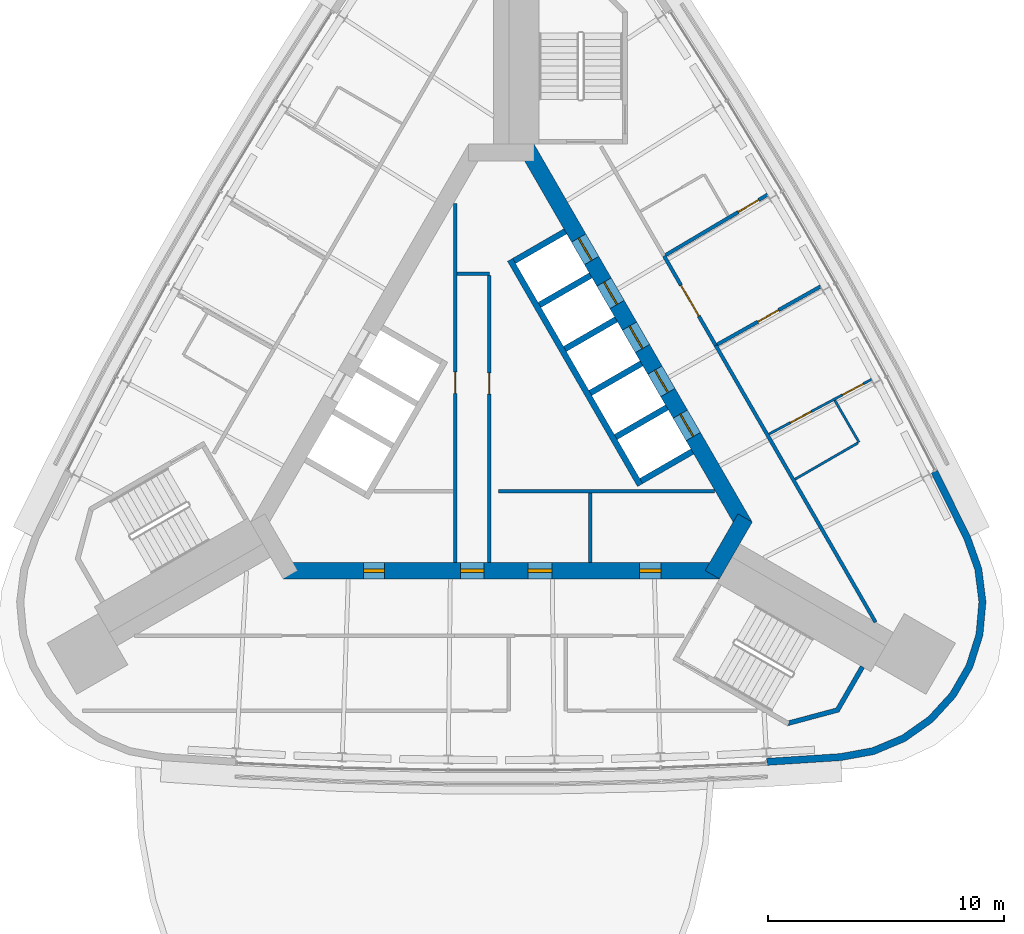
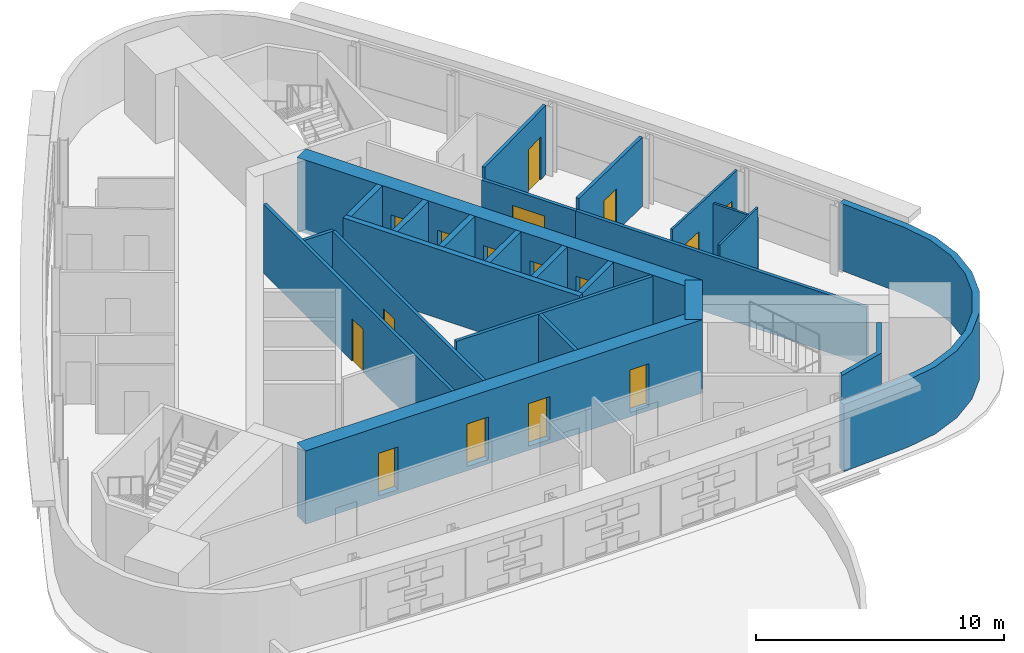
# One storey, part 7 of 9: 24 walls, 16 doors, 16 openings.
"""IFC4 building model written with IfcOpenShell, lengths in metres."""

from ifc_helpers import new_model, si_unit, direction, frame, frame_2d, origin, place, context, subcontext, project, spatial, polyline, rectangle, outline, extrude, material, layer, layer_set, type_object, element, fill, save


model = new_model("IFC4")

# Units and contexts
model_context = context("Model", 3, precision=1e-05, world=origin(), true_north=direction((0.0, 1.0)))
body_context = subcontext(model_context, "Body", "Model", "MODEL_VIEW")
ifc_project = project(units=[si_unit("LENGTHUNIT", "METRE"), si_unit("AREAUNIT", "SQUARE_METRE"), si_unit("VOLUMEUNIT", "CUBIC_METRE"), si_unit("PLANEANGLEUNIT", "RADIAN"), si_unit("MASSUNIT", "GRAM", prefix="KILO")], contexts=[model_context])

# Site, building, storey
site_placement = place(None, origin())
site = spatial("IfcSite", under=ifc_project, at=site_placement, CompositionType="ELEMENT")
building_placement = place(site_placement, origin())
building = spatial("IfcBuilding", under=site, at=building_placement, Name="Noor Cloister Tower", CompositionType="ELEMENT")
storey_placement = place(building_placement, frame((0.0, 0.0, 229.199951171875)))
storey = spatial("IfcBuildingStorey", under=building, at=storey_placement, Name="L59", CompositionType="ELEMENT", Elevation=229.199951171875)

# Wall, opening, door
ifc_material_1 = material(Name="Concrete C30/37", Category="concrete")
ifc_layer_1 = layer(ifc_material_1, 0.14990234375)
ifc_layer_set_1 = layer_set([ifc_layer_1], Name="Core partition 150 C30/37")
wall_type_1 = type_object("IfcWallType", Name="Core partition 150 C30/37", PredefinedType="PARTITIONING", material=ifc_layer_set_1)
wall_1_placement = place(storey_placement, frame((-1.95361328125, 8.9423828125, 0.0), z_axis=(0.0, 0.0, 1.0), x_axis=(0.0, -1.0, 0.0)))
wall_1 = element("IfcWall", 1, at=wall_1_placement, inside=storey, type_object=wall_type_1, Name="Core room partition L59 2", PredefinedType="PARTITIONING", context=body_context, shape_type="SweptSolid", body=[
    extrude(rectangle(XDim=15.170654296875, YDim=0.14990234375, at=frame_2d((7.58544921875, 0.0))), origin(), (0.0, 0.0, 1.0), 3.400146484375),
])
opening_1_placement = place(wall_1_placement, frame((7.12060546875, 0.0, 0.0)))
opening_1 = element("IfcOpeningElement", 2, at=opening_1_placement, cuts=wall_1, Name="Opening L59-905", PredefinedType="OPENING", context=body_context, shape_type="SweptSolid", body=[
    extrude(rectangle(XDim=0.89990234375, YDim=2.10009765625, at=frame_2d((0.449951171875, 1.050048828125))), frame((0.0, 0.0849609375, 0.0), z_axis=(0.0, -1.0, 0.0), x_axis=(1.0, 0.0, 0.0)), (0.0, 0.0, 1.0), 0.169921875),
])
ifc_material_2 = material(Name="Steel", Category="steel")
door_type_1 = type_object("IfcDoorType", Name="Core door 900 x 2100 FD60", OperationType="SINGLE_SWING_LEFT", PredefinedType="DOOR", material=ifc_material_2)
door_1_placement = place(opening_1_placement, origin())
door_1 = element("IfcDoor", 3, at=door_1_placement, inside=storey, type_object=door_type_1, Name="Core door 5 L59", OperationType="SINGLE_SWING_LEFT", OverallHeight=2.10009765625, OverallWidth=0.89990234375, PredefinedType="DOOR", context=body_context, shape_type="SweptSolid", body=[
    extrude(rectangle(XDim=0.89990234375, YDim=2.10009765625, at=frame_2d((0.449951171875, 1.050048828125))), frame((0.0, 0.02490234375, 0.0), z_axis=(0.0, -1.0, 0.0), x_axis=(1.0, 0.0, 0.0)), (0.0, 0.0, 1.0), 0.050048828125),
])
fill(opening_1, door_1)

# Wall
wall_2_placement = place(storey_placement, frame((-1.878662109375, 5.9716796875, 0.0), z_axis=(0.0, 0.0, 1.0), x_axis=(1.0, 0.0, 0.0)))
element("IfcWall", 4, at=wall_2_placement, inside=storey, type_object=wall_type_1, Name="Core room partition L59 3", PredefinedType="PARTITIONING", context=body_context, shape_type="SweptSolid", body=[
    extrude(rectangle(XDim=1.375, YDim=0.14990234375, at=frame_2d((0.6875, 0.0))), origin(), (0.0, 0.0, 1.0), 3.400146484375),
])

# Wall, opening, door
wall_3_placement = place(storey_placement, frame((-0.503662109375, 5.896728515625, 0.0), z_axis=(0.0, 0.0, 1.0), x_axis=(0.0, -1.0, 0.0)))
wall_3 = element("IfcWall", 5, at=wall_3_placement, inside=storey, type_object=wall_type_1, Name="Core room partition L59 4", PredefinedType="PARTITIONING", context=body_context, shape_type="SweptSolid", body=[
    extrude(rectangle(XDim=12.125, YDim=0.14990234375, at=frame_2d((6.0625, 0.0))), origin(), (0.0, 0.0, 1.0), 3.400146484375),
])
opening_2_placement = place(wall_3_placement, frame((4.113525390625, 0.0, 0.0)))
opening_2 = element("IfcOpeningElement", 6, at=opening_2_placement, cuts=wall_3, Name="Opening L59-906", PredefinedType="OPENING", context=body_context, shape_type="SweptSolid", body=[
    extrude(rectangle(XDim=0.89990234375, YDim=2.10009765625, at=frame_2d((0.449951171875, 1.050048828125))), frame((0.0, 0.0849609375, 0.0), z_axis=(0.0, -1.0, 0.0), x_axis=(1.0, 0.0, 0.0)), (0.0, 0.0, 1.0), 0.169921875),
])
door_2_placement = place(opening_2_placement, origin())
door_2 = element("IfcDoor", 7, at=door_2_placement, inside=storey, type_object=door_type_1, Name="Core door 6 L59", OperationType="SINGLE_SWING_RIGHT", OverallHeight=2.10009765625, OverallWidth=0.89990234375, PredefinedType="DOOR", context=body_context, shape_type="SweptSolid", body=[
    extrude(rectangle(XDim=0.89990234375, YDim=2.10009765625, at=frame_2d((0.449951171875, 1.050048828125))), frame((0.0, 0.02490234375, 0.0), z_axis=(0.0, -1.0, 0.0), x_axis=(1.0, 0.0, 0.0)), (0.0, 0.0, 1.0), 0.050048828125),
])
fill(opening_2, door_2)

# Walls
wall_4_placement = place(storey_placement, frame((-0.128662109375, -3.228271484375, 0.0), z_axis=(0.0, 0.0, 1.0), x_axis=(1.0, 0.0, 0.0)))
element("IfcWall", 8, at=wall_4_placement, inside=storey, type_object=wall_type_1, Name="Core room partition L59 5", PredefinedType="PARTITIONING", context=body_context, shape_type="SweptSolid", body=[
    extrude(rectangle(XDim=9.13916015625, YDim=0.14990234375, at=frame_2d((4.569580078125, 0.0))), origin(), (0.0, 0.0, 1.0), 3.400146484375),
])
wall_5_placement = place(storey_placement, frame((3.771240234375, -3.30322265625, 0.0), z_axis=(0.0, 0.0, 1.0), x_axis=(0.0, -1.0, 0.0)))
element("IfcWall", 9, at=wall_5_placement, inside=storey, type_object=wall_type_1, Name="Core room partition L59 6", PredefinedType="PARTITIONING", context=body_context, shape_type="SweptSolid", body=[
    extrude(rectangle(XDim=2.925048828125, YDim=0.14990234375, at=frame_2d((1.46240234375, 0.0))), origin(), (0.0, 0.0, 1.0), 3.400146484375),
])

# Wall, openings, doors
ifc_material_3 = material(Name="Concrete C60/75", Category="concrete")
ifc_layer_2 = layer(ifc_material_3, 0.699951171875)
ifc_layer_set_2 = layer_set([ifc_layer_2], Name="Core wall 700 C60/75")
wall_type_2 = type_object("IfcWallType", Name="Core wall 700 C60/75", PredefinedType="SHEAR", material=ifc_layer_set_2)
wall_6_placement = place(storey_placement, frame((-9.228759765625, -6.578125, -0.199951171875), z_axis=(0.0, 0.0, 1.0), x_axis=(1.0, 0.0, 0.0)))
wall_6 = element("IfcWall", 10, at=wall_6_placement, inside=storey, type_object=wall_type_2, Name="Core wall L59 1", PredefinedType="SHEAR", context=body_context, shape_type="SweptSolid", body=[
    extrude(rectangle(XDim=18.45751953125, YDim=0.699951171875, at=frame_2d((9.228759765625, 0.0))), origin(), (0.0, 0.0, 1.0), 3.60009765625),
])
opening_3_placement = place(wall_6_placement, frame((7.5, 0.0, 0.199951171875)))
opening_3 = element("IfcOpeningElement", 11, at=opening_3_placement, cuts=wall_6, Name="Opening L59-901", PredefinedType="OPENING", context=body_context, shape_type="SweptSolid", body=[
    extrude(rectangle(XDim=1.0, YDim=2.10009765625, at=frame_2d((0.5, 1.050048828125))), frame((0.0, 0.35986328125, 0.0), z_axis=(0.0, -1.0, 0.0), x_axis=(1.0, 0.0, 0.0)), (0.0, 0.0, 1.0), 0.719970703125),
])
opening_4_placement = place(wall_6_placement, frame((3.389404296875, 0.0, 0.199951171875)))
opening_4 = element("IfcOpeningElement", 12, at=opening_4_placement, cuts=wall_6, Name="Opening L59-902", PredefinedType="OPENING", context=body_context, shape_type="SweptSolid", body=[
    extrude(rectangle(XDim=0.89990234375, YDim=2.10009765625, at=frame_2d((0.449951171875, 1.050048828125))), frame((0.0, 0.35986328125, 0.0), z_axis=(0.0, -1.0, 0.0), x_axis=(1.0, 0.0, 0.0)), (0.0, 0.0, 1.0), 0.719970703125),
])
opening_5_placement = place(wall_6_placement, frame((10.362548828125, 0.0, 0.199951171875)))
opening_5 = element("IfcOpeningElement", 13, at=opening_5_placement, cuts=wall_6, Name="Opening L59-903", PredefinedType="OPENING", context=body_context, shape_type="SweptSolid", body=[
    extrude(rectangle(XDim=1.0, YDim=2.10009765625, at=frame_2d((0.5, 1.050048828125))), frame((0.0, 0.35986328125, 0.0), z_axis=(0.0, -1.0, 0.0), x_axis=(1.0, 0.0, 0.0)), (0.0, 0.0, 1.0), 0.719970703125),
])
opening_6_placement = place(wall_6_placement, frame((15.07666015625, 0.0, 0.199951171875)))
opening_6 = element("IfcOpeningElement", 14, at=opening_6_placement, cuts=wall_6, Name="Opening L59-904", PredefinedType="OPENING", context=body_context, shape_type="SweptSolid", body=[
    extrude(rectangle(XDim=0.89990234375, YDim=2.10009765625, at=frame_2d((0.449951171875, 1.050048828125))), frame((0.0, 0.35986328125, 0.0), z_axis=(0.0, -1.0, 0.0), x_axis=(1.0, 0.0, 0.0)), (0.0, 0.0, 1.0), 0.719970703125),
])
ifc_material_4 = material(Name="Steel", Category="steel")
door_type_2 = type_object("IfcDoorType", Name="Core door 1000 x 2100 FD120", OperationType="SINGLE_SWING_LEFT", PredefinedType="DOOR", material=ifc_material_4)
door_3_placement = place(opening_3_placement, origin())
door_3 = element("IfcDoor", 15, at=door_3_placement, inside=storey, type_object=door_type_2, Name="Core door 1 L59", OperationType="SINGLE_SWING_LEFT", OverallHeight=2.10009765625, OverallWidth=1.0, PredefinedType="DOOR", context=body_context, shape_type="SweptSolid", body=[
    extrude(rectangle(XDim=1.0, YDim=2.10009765625, at=frame_2d((0.5, 1.050048828125))), frame((0.0, 0.074951171875, 0.0), z_axis=(0.0, -1.0, 0.0), x_axis=(1.0, 0.0, 0.0)), (0.0, 0.0, 1.0), 0.14990234375),
])
fill(opening_3, door_3)
ifc_material_5 = material(Name="Steel", Category="steel")
door_type_3 = type_object("IfcDoorType", Name="Core door 1000 x 2100 FD60", OperationType="SINGLE_SWING_LEFT", PredefinedType="DOOR", material=ifc_material_5)
door_4_placement = place(opening_5_placement, origin())
door_4 = element("IfcDoor", 16, at=door_4_placement, inside=storey, type_object=door_type_3, Name="Core door 3 L59", OperationType="SINGLE_SWING_LEFT", OverallHeight=2.10009765625, OverallWidth=1.0, PredefinedType="DOOR", context=body_context, shape_type="SweptSolid", body=[
    extrude(rectangle(XDim=1.0, YDim=2.10009765625, at=frame_2d((0.5, 1.050048828125))), frame((0.0, 0.074951171875, 0.0), z_axis=(0.0, -1.0, 0.0), x_axis=(1.0, 0.0, 0.0)), (0.0, 0.0, 1.0), 0.14990234375),
])
fill(opening_5, door_4)
ifc_material_6 = material(Name="Steel", Category="steel")
door_type_4 = type_object("IfcDoorType", Name="Core door 900 x 2100 FD120", OperationType="SINGLE_SWING_LEFT", PredefinedType="DOOR", material=ifc_material_6)
door_5_placement = place(opening_4_placement, origin())
door_5 = element("IfcDoor", 17, at=door_5_placement, inside=storey, type_object=door_type_4, Name="Core door 2 L59", OperationType="SINGLE_SWING_RIGHT", OverallHeight=2.10009765625, OverallWidth=0.89990234375, PredefinedType="DOOR", context=body_context, shape_type="SweptSolid", body=[
    extrude(rectangle(XDim=0.89990234375, YDim=2.10009765625, at=frame_2d((0.449951171875, 1.050048828125))), frame((0.0, 0.074951171875, 0.0), z_axis=(0.0, -1.0, 0.0), x_axis=(1.0, 0.0, 0.0)), (0.0, 0.0, 1.0), 0.14990234375),
])
fill(opening_4, door_5)
door_6_placement = place(opening_6_placement, origin())
door_6 = element("IfcDoor", 18, at=door_6_placement, inside=storey, type_object=door_type_1, Name="Core door 4 L59", OperationType="SINGLE_SWING_RIGHT", OverallHeight=2.10009765625, OverallWidth=0.89990234375, PredefinedType="DOOR", context=body_context, shape_type="SweptSolid", body=[
    extrude(rectangle(XDim=0.89990234375, YDim=2.10009765625, at=frame_2d((0.449951171875, 1.050048828125))), frame((0.0, 0.074951171875, 0.0), z_axis=(0.0, -1.0, 0.0), x_axis=(1.0, 0.0, 0.0)), (0.0, 0.0, 1.0), 0.14990234375),
])
fill(opening_6, door_6)

# Wall
wall_7_placement = place(storey_placement, frame((8.925537109375, -6.753173828125, -0.199951171875), z_axis=(0.0, 0.0, 1.0), x_axis=(0.500042739161, 0.866000726912, 0.0)))
element("IfcWall", 19, at=wall_7_placement, inside=storey, type_object=wall_type_2, Name="Core wall L59 2", PredefinedType="SHEAR", context=body_context, shape_type="SweptSolid", body=[
    extrude(rectangle(XDim=2.771240234375, YDim=0.699951171875, at=frame_2d((1.3857421875, 0.0))), origin(), (0.0, 0.0, 1.0), 3.60009765625),
])

# Wall, openings, doors
wall_8_placement = place(storey_placement, frame((10.311279296875, -4.703125, -0.199951171875), z_axis=(0.0, 0.0, 1.0), x_axis=(-0.500001446645, 0.866024568562, 0.0)))
wall_8 = element("IfcWall", 20, at=wall_8_placement, inside=storey, type_object=wall_type_2, Name="Core wall L59 3", PredefinedType="SHEAR", context=body_context, shape_type="SweptSolid", body=[
    extrude(rectangle(XDim=18.45751953125, YDim=0.699951171875, at=frame_2d((9.228759765625, 0.0))), origin(), (0.0, 0.0, 1.0), 3.60009765625),
])
opening_7_placement = place(wall_8_placement, frame((4.378662109375, 0.0, 0.199951171875)))
opening_7 = element("IfcOpeningElement", 21, at=opening_7_placement, cuts=wall_8, Name="Opening L59-HR1", PredefinedType="OPENING", context=body_context, shape_type="SweptSolid", body=[
    extrude(rectangle(XDim=1.10009765625, YDim=2.10009765625, at=frame_2d((0.550048828125, 1.050048828125))), frame((0.0, 0.35986328125, 0.0), z_axis=(0.0, -1.0, 0.0), x_axis=(1.0, 0.0, 0.0)), (0.0, 0.0, 1.0), 0.719970703125),
])
opening_8_placement = place(wall_8_placement, frame((6.52880859375, 0.0, 0.199951171875)))
opening_8 = element("IfcOpeningElement", 22, at=opening_8_placement, cuts=wall_8, Name="Opening L59-HR2", PredefinedType="OPENING", context=body_context, shape_type="SweptSolid", body=[
    extrude(rectangle(XDim=1.10009765625, YDim=2.10009765625, at=frame_2d((0.550048828125, 1.050048828125))), frame((0.0, 0.35986328125, 0.0), z_axis=(0.0, -1.0, 0.0), x_axis=(1.0, 0.0, 0.0)), (0.0, 0.0, 1.0), 0.719970703125),
])
opening_9_placement = place(wall_8_placement, frame((8.6787109375, 0.0, 0.199951171875)))
opening_9 = element("IfcOpeningElement", 23, at=opening_9_placement, cuts=wall_8, Name="Opening L59-HR3", PredefinedType="OPENING", context=body_context, shape_type="SweptSolid", body=[
    extrude(rectangle(XDim=1.10009765625, YDim=2.10009765625, at=frame_2d((0.550048828125, 1.050048828125))), frame((0.0, 0.35986328125, 0.0), z_axis=(0.0, -1.0, 0.0), x_axis=(1.0, 0.0, 0.0)), (0.0, 0.0, 1.0), 0.719970703125),
])
opening_10_placement = place(wall_8_placement, frame((10.82861328125, 0.0, 0.199951171875)))
opening_10 = element("IfcOpeningElement", 24, at=opening_10_placement, cuts=wall_8, Name="Opening L59-HR4", PredefinedType="OPENING", context=body_context, shape_type="SweptSolid", body=[
    extrude(rectangle(XDim=1.10009765625, YDim=2.10009765625, at=frame_2d((0.550048828125, 1.050048828125))), frame((0.0, 0.35986328125, 0.0), z_axis=(0.0, -1.0, 0.0), x_axis=(1.0, 0.0, 0.0)), (0.0, 0.0, 1.0), 0.719970703125),
])
opening_11_placement = place(wall_8_placement, frame((12.978759765625, 0.0, 0.199951171875)))
opening_11 = element("IfcOpeningElement", 25, at=opening_11_placement, cuts=wall_8, Name="Opening L59-HR5", PredefinedType="OPENING", context=body_context, shape_type="SweptSolid", body=[
    extrude(rectangle(XDim=1.10009765625, YDim=2.10009765625, at=frame_2d((0.550048828125, 1.050048828125))), frame((0.0, 0.35986328125, 0.0), z_axis=(0.0, -1.0, 0.0), x_axis=(1.0, 0.0, 0.0)), (0.0, 0.0, 1.0), 0.719970703125),
])
ifc_material_7 = material(Name="Stainless steel", Category="steel")
door_type_5 = type_object("IfcDoorType", Name="Lift landing door 1100 x 2100", OperationType="DOUBLE_DOOR_SLIDING", PredefinedType="DOOR", material=ifc_material_7)
door_7_placement = place(opening_7_placement, origin())
door_7 = element("IfcDoor", 26, at=door_7_placement, inside=storey, type_object=door_type_5, Name="Landing door HR1 L59", OperationType="DOUBLE_DOOR_SLIDING", OverallHeight=2.10009765625, OverallWidth=1.10009765625, PredefinedType="DOOR", context=body_context, shape_type="SweptSolid", body=[
    extrude(rectangle(XDim=1.10009765625, YDim=2.10009765625, at=frame_2d((0.550048828125, 1.050048828125))), frame((0.0, 0.02490234375, 0.0), z_axis=(0.0, -1.0, 0.0), x_axis=(1.0, 0.0, 0.0)), (0.0, 0.0, 1.0), 0.050048828125),
])
fill(opening_7, door_7)
door_8_placement = place(opening_8_placement, origin())
door_8 = element("IfcDoor", 27, at=door_8_placement, inside=storey, type_object=door_type_5, Name="Landing door HR2 L59", OperationType="DOUBLE_DOOR_SLIDING", OverallHeight=2.10009765625, OverallWidth=1.10009765625, PredefinedType="DOOR", context=body_context, shape_type="SweptSolid", body=[
    extrude(rectangle(XDim=1.10009765625, YDim=2.10009765625, at=frame_2d((0.550048828125, 1.050048828125))), frame((0.0, 0.02490234375, 0.0), z_axis=(0.0, -1.0, 0.0), x_axis=(1.0, 0.0, 0.0)), (0.0, 0.0, 1.0), 0.050048828125),
])
fill(opening_8, door_8)
door_9_placement = place(opening_9_placement, origin())
door_9 = element("IfcDoor", 28, at=door_9_placement, inside=storey, type_object=door_type_5, Name="Landing door HR3 L59", OperationType="DOUBLE_DOOR_SLIDING", OverallHeight=2.10009765625, OverallWidth=1.10009765625, PredefinedType="DOOR", context=body_context, shape_type="SweptSolid", body=[
    extrude(rectangle(XDim=1.10009765625, YDim=2.10009765625, at=frame_2d((0.550048828125, 1.050048828125))), frame((0.0, 0.02490234375, 0.0), z_axis=(0.0, -1.0, 0.0), x_axis=(1.0, 0.0, 0.0)), (0.0, 0.0, 1.0), 0.050048828125),
])
fill(opening_9, door_9)
door_10_placement = place(opening_10_placement, origin())
door_10 = element("IfcDoor", 29, at=door_10_placement, inside=storey, type_object=door_type_5, Name="Landing door HR4 L59", OperationType="DOUBLE_DOOR_SLIDING", OverallHeight=2.10009765625, OverallWidth=1.10009765625, PredefinedType="DOOR", context=body_context, shape_type="SweptSolid", body=[
    extrude(rectangle(XDim=1.10009765625, YDim=2.10009765625, at=frame_2d((0.550048828125, 1.050048828125))), frame((0.0, 0.02490234375, 0.0), z_axis=(0.0, -1.0, 0.0), x_axis=(1.0, 0.0, 0.0)), (0.0, 0.0, 1.0), 0.050048828125),
])
fill(opening_10, door_10)
door_11_placement = place(opening_11_placement, origin())
door_11 = element("IfcDoor", 30, at=door_11_placement, inside=storey, type_object=door_type_5, Name="Landing door HR5 L59", OperationType="DOUBLE_DOOR_SLIDING", OverallHeight=2.10009765625, OverallWidth=1.10009765625, PredefinedType="DOOR", context=body_context, shape_type="SweptSolid", body=[
    extrude(rectangle(XDim=1.10009765625, YDim=2.10009765625, at=frame_2d((0.550048828125, 1.050048828125))), frame((0.0, 0.02490234375, 0.0), z_axis=(0.0, -1.0, 0.0), x_axis=(1.0, 0.0, 0.0)), (0.0, 0.0, 1.0), 0.050048828125),
])
fill(opening_11, door_11)

# Wall
ifc_material_8 = material(Name="Gypsum board partition on steel studs, 150 mm", Category="steel")
ifc_layer_3 = layer(ifc_material_8, 0.14990234375)
ifc_layer_set_3 = layer_set([ifc_layer_3], Name="Flat wall 150")
wall_type_3 = type_object("IfcWallType", Name="Flat wall 150", PredefinedType="PARTITIONING", material=ifc_layer_set_3)
wall_9_placement = place(storey_placement, frame((15.83203125, -8.765380859375, 0.0), z_axis=(0.0, 0.0, 1.0), x_axis=(-0.500008967739, 0.866020226196, 0.0)))
element("IfcWall", 31, at=wall_9_placement, inside=storey, type_object=wall_type_3, Name="Wall L59-W01", PredefinedType="PARTITIONING", context=body_context, shape_type="SweptSolid", body=[
    extrude(rectangle(XDim=13.522705078125, YDim=0.14990234375, at=frame_2d((6.76123046875, 0.0))), origin(), (0.0, 0.0, 1.0), 2.85205078125),
])

# Wall, opening, door
wall_10_placement = place(storey_placement, frame((13.51416015625, 5.4443359375, 0.0), z_axis=(0.0, 0.0, 1.0), x_axis=(-0.871644326388, -0.490138927525, 0.0)))
wall_10 = element("IfcWall", 32, at=wall_10_placement, inside=storey, type_object=wall_type_3, Name="Wall L59-W03", PredefinedType="PARTITIONING", context=body_context, shape_type="SweptSolid", body=[
    extrude(rectangle(XDim=5.02294921875, YDim=0.14990234375, at=frame_2d((2.511474609375, 0.0))), origin(), (0.0, 0.0, 1.0), 3.400146484375),
])
opening_12_placement = place(wall_10_placement, frame((2.048828125, 0.0, 0.0)))
opening_12 = element("IfcOpeningElement", 33, at=opening_12_placement, cuts=wall_10, Name="Opening L59-004", PredefinedType="OPENING", context=body_context, shape_type="SweptSolid", body=[
    extrude(rectangle(XDim=1.0, YDim=2.10009765625, at=frame_2d((0.5, 1.050048828125))), frame((0.0, 0.0849609375, 0.0), z_axis=(0.0, -1.0, 0.0), x_axis=(1.0, 0.0, 0.0)), (0.0, 0.0, 1.0), 0.169921875),
])
ifc_material_9 = material(Name="Timber door leaf with steel frame", Category="steel")
door_type_6 = type_object("IfcDoorType", Name="Flat entrance door 1000", OperationType="NOTDEFINED", PredefinedType="DOOR", material=ifc_material_9)
door_12_placement = place(opening_12_placement, origin())
door_12 = element("IfcDoor", 34, at=door_12_placement, inside=storey, type_object=door_type_6, Name="Door L59-004", OperationType="SINGLE_SWING_RIGHT", OverallHeight=2.10009765625, OverallWidth=1.0, PredefinedType="DOOR", context=body_context, shape_type="SweptSolid", body=[
    extrude(rectangle(XDim=1.0, YDim=2.10009765625, at=frame_2d((0.5, 1.050048828125))), frame((0.0, 0.02490234375, 0.0), z_axis=(0.0, -1.0, 0.0), x_axis=(1.0, 0.0, 0.0)), (0.0, 0.0, 1.0), 0.050048828125),
])
fill(opening_12, door_12)

wall_11_placement = place(storey_placement, frame((11.26806640625, 9.325439453125, 0.0), z_axis=(0.0, 0.0, 1.0), x_axis=(-0.860287582295, -0.509809058128, 0.0)))
wall_11 = element("IfcWall", 35, at=wall_11_placement, inside=storey, type_object=wall_type_3, Name="Wall L59-W04", PredefinedType="PARTITIONING", context=body_context, shape_type="SweptSolid", body=[
    extrude(rectangle(XDim=5.018310546875, YDim=0.14990234375, at=frame_2d((2.50927734375, 0.0))), origin(), (0.0, 0.0, 1.0), 3.400146484375),
])
opening_13_placement = place(wall_11_placement, frame((0.446533203125, 0.0, 0.0)))
opening_13 = element("IfcOpeningElement", 36, at=opening_13_placement, cuts=wall_11, Name="Opening L59-006", PredefinedType="OPENING", context=body_context, shape_type="SweptSolid", body=[
    extrude(rectangle(XDim=1.0, YDim=2.10009765625, at=frame_2d((0.5, 1.050048828125))), frame((0.0, 0.0849609375, 0.0), z_axis=(0.0, -1.0, 0.0), x_axis=(1.0, 0.0, 0.0)), (0.0, 0.0, 1.0), 0.169921875),
])
door_13_placement = place(opening_13_placement, origin())
door_13 = element("IfcDoor", 37, at=door_13_placement, inside=storey, type_object=door_type_6, Name="Door L59-006", OperationType="SINGLE_SWING_RIGHT", OverallHeight=2.10009765625, OverallWidth=1.0, PredefinedType="DOOR", context=body_context, shape_type="SweptSolid", body=[
    extrude(rectangle(XDim=1.0, YDim=2.10009765625, at=frame_2d((0.5, 1.050048828125))), frame((0.0, 0.02490234375, 0.0), z_axis=(0.0, -1.0, 0.0), x_axis=(1.0, 0.0, 0.0)), (0.0, 0.0, 1.0), 0.050048828125),
])
fill(opening_13, door_13)

wall_12_placement = place(storey_placement, frame((9.070556640625, 2.945556640625, 0.0), z_axis=(0.0, 0.0, 1.0), x_axis=(-0.499991738058, 0.866030173766, 0.0)))
wall_12 = element("IfcWall", 38, at=wall_12_placement, inside=storey, type_object=wall_type_3, Name="Wall L59-W05", PredefinedType="PARTITIONING", context=body_context, shape_type="SweptSolid", body=[
    extrude(rectangle(XDim=4.36865234375, YDim=0.14990234375, at=frame_2d((2.184326171875, 0.0))), origin(), (0.0, 0.0, 1.0), 2.85205078125),
])
opening_14_placement = place(wall_12_placement, frame((1.434326171875, 0.0, 0.0)))
opening_14 = element("IfcOpeningElement", 39, at=opening_14_placement, cuts=wall_12, Name="Opening L59-001", PredefinedType="OPENING", context=body_context, shape_type="SweptSolid", body=[
    extrude(rectangle(XDim=1.5, YDim=2.10009765625, at=frame_2d((0.75, 1.050048828125))), frame((0.0, 0.0849609375, 0.0), z_axis=(0.0, -1.0, 0.0), x_axis=(1.0, 0.0, 0.0)), (0.0, 0.0, 1.0), 0.169921875),
])
ifc_material_10 = material(Name="Timber door leaf with steel frame", Category="steel")
door_type_7 = type_object("IfcDoorType", Name="Double door 1500 FD60", OperationType="NOTDEFINED", PredefinedType="DOOR", material=ifc_material_10)
door_14_placement = place(opening_14_placement, origin())
door_14 = element("IfcDoor", 40, at=door_14_placement, inside=storey, type_object=door_type_7, Name="Door L59-001", OperationType="DOUBLE_DOOR_SINGLE_SWING", OverallHeight=2.10009765625, OverallWidth=1.5, PredefinedType="DOOR", context=body_context, shape_type="SweptSolid", body=[
    extrude(rectangle(XDim=1.5, YDim=2.10009765625, at=frame_2d((0.75, 1.050048828125))), frame((0.0, 0.02490234375, 0.0), z_axis=(0.0, -1.0, 0.0), x_axis=(1.0, 0.0, 0.0)), (0.0, 0.0, 1.0), 0.050048828125),
])
fill(opening_14, door_14)

# Wall
ifc_material_11 = material(Name="Limestone", Category="masonry")
ifc_layer_4 = layer(ifc_material_11, 0.300048828125)
ifc_layer_set_4 = layer_set([ifc_layer_4], Name="Limestone cladding 300")
wall_type_4 = type_object("IfcWallType", Name="Limestone cladding 300", PredefinedType="NOTDEFINED", material=ifc_layer_set_4)
wall_13_placement = place(storey_placement, origin())
element("IfcWall", 41, at=wall_13_placement, inside=storey, type_object=wall_type_4, Name="Limestone pier cladding L59 2.1", PredefinedType="NOTDEFINED", context=body_context, shape_type="SweptSolid", body=[
    extrude(outline(polyline([(11.243896484375, -14.820068359375), (14.3642578125, -14.61865234375), (15.77197265625, -14.361328125), (17.091552734375, -13.8076171875), (18.26123046875, -12.983154296875), (19.2265625, -11.9267578125), (19.942138671875, -10.687255859375), (20.37451171875, -9.3232421875), (20.503662109375, -7.89794921875), (20.3232421875, -6.478271484375), (19.842041015625, -5.13037109375), (18.45654296875, -2.32763671875), (18.1875, -2.46044921875), (19.5654296875, -5.247802734375), (20.02978515625, -6.54833984375), (20.201904296875, -7.9033203125), (20.07861328125, -9.263671875), (19.666015625, -10.565673828125), (18.98291015625, -11.748291015625), (18.061767578125, -12.7568359375), (16.9453125, -13.543701171875), (15.68603515625, -14.072021484375), (14.327392578125, -14.3203125), (11.224609375, -14.520751953125), (11.243896484375, -14.820068359375)])), origin(), (0.0, 0.0, 1.0), 3.300048828125),
])

# Wall, openings, doors
ifc_material_12 = material(Name="Gypsum board partition on steel studs, 100 mm", Category="steel")
ifc_layer_5 = layer(ifc_material_12, 0.10009765625)
ifc_layer_set_5 = layer_set([ifc_layer_5], Name="Partition 100")
wall_type_5 = type_object("IfcWallType", Name="Partition 100", PredefinedType="PARTITIONING", material=ifc_layer_set_5)
wall_14_placement = place(storey_placement, frame((15.671630859375, 1.513671875, 0.0), z_axis=(0.0, 0.0, 1.0), x_axis=(-0.882503735513, -0.47030538675, 0.0)))
wall_14 = element("IfcWall", 42, at=wall_14_placement, inside=storey, type_object=wall_type_5, Name="Wall L59-W06", PredefinedType="PARTITIONING", context=body_context, shape_type="SweptSolid", body=[
    extrude(rectangle(XDim=4.928466796875, YDim=0.10009765625, at=frame_2d((2.46435546875, 0.0))), origin(), (0.0, 0.0, 1.0), 3.400146484375),
])
opening_15_placement = place(wall_14_placement, frame((0.40087890625, 0.0, 0.0)))
opening_15 = element("IfcOpeningElement", 43, at=opening_15_placement, cuts=wall_14, Name="Opening L59-002", PredefinedType="OPENING", context=body_context, shape_type="SweptSolid", body=[
    extrude(rectangle(XDim=1.0, YDim=2.10009765625, at=frame_2d((0.5, 1.050048828125))), frame((0.0, 0.06005859375, 0.0), z_axis=(0.0, -1.0, 0.0), x_axis=(1.0, 0.0, 0.0)), (0.0, 0.0, 1.0), 0.1201171875),
])
opening_16_placement = place(wall_14_placement, frame((2.902587890625, 0.0, 0.0)))
opening_16 = element("IfcOpeningElement", 44, at=opening_16_placement, cuts=wall_14, Name="Opening L59-003", PredefinedType="OPENING", context=body_context, shape_type="SweptSolid", body=[
    extrude(rectangle(XDim=1.0, YDim=2.10009765625, at=frame_2d((0.5, 1.050048828125))), frame((0.0, 0.06005859375, 0.0), z_axis=(0.0, -1.0, 0.0), x_axis=(1.0, 0.0, 0.0)), (0.0, 0.0, 1.0), 0.1201171875),
])
ifc_material_13 = material(Name="Timber door leaf with steel frame", Category="steel")
door_type_8 = type_object("IfcDoorType", Name="Interior door 1000", OperationType="NOTDEFINED", PredefinedType="DOOR", material=ifc_material_13)
door_15_placement = place(opening_15_placement, origin())
door_15 = element("IfcDoor", 45, at=door_15_placement, inside=storey, type_object=door_type_8, Name="Door L59-002", OperationType="SINGLE_SWING_RIGHT", OverallHeight=2.10009765625, OverallWidth=1.0, PredefinedType="DOOR", context=body_context, shape_type="SweptSolid", body=[
    extrude(rectangle(XDim=1.0, YDim=2.10009765625, at=frame_2d((0.5, 1.050048828125))), frame((0.0, 0.02490234375, 0.0), z_axis=(0.0, -1.0, 0.0), x_axis=(1.0, 0.0, 0.0)), (0.0, 0.0, 1.0), 0.050048828125),
])
fill(opening_15, door_15)
door_16_placement = place(opening_16_placement, origin())
door_16 = element("IfcDoor", 46, at=door_16_placement, inside=storey, type_object=door_type_8, Name="Door L59-003", OperationType="SINGLE_SWING_LEFT", OverallHeight=2.10009765625, OverallWidth=1.0, PredefinedType="DOOR", context=body_context, shape_type="SweptSolid", body=[
    extrude(rectangle(XDim=1.0, YDim=2.10009765625, at=frame_2d((0.5, 1.050048828125))), frame((0.0, 0.02490234375, 0.0), z_axis=(0.0, -1.0, 0.0), x_axis=(1.0, 0.0, 0.0)), (0.0, 0.0, 1.0), 0.050048828125),
])
fill(opening_16, door_16)

# Walls
wall_15_placement = place(storey_placement, frame((14.106689453125, 0.623046875, 0.0), z_axis=(0.0, 0.0, 1.0), x_axis=(0.499956128963, -0.866050731258, 0.0)))
element("IfcWall", 47, at=wall_15_placement, inside=storey, type_object=wall_type_5, Name="Wall L59-W07", PredefinedType="PARTITIONING", context=body_context, shape_type="SweptSolid", body=[
    extrude(rectangle(XDim=2.050048828125, YDim=0.10009765625, at=frame_2d((1.02490234375, 0.0))), origin(), (0.0, 0.0, 1.0), 2.85205078125),
])
wall_16_placement = place(storey_placement, frame((15.08837890625, -1.17724609375, 0.0), z_axis=(0.0, 0.0, 1.0), x_axis=(-0.866016353143, -0.500015675843, 0.0)))
element("IfcWall", 48, at=wall_16_placement, inside=storey, type_object=wall_type_5, Name="Wall L59-W08", PredefinedType="PARTITIONING", context=body_context, shape_type="SweptSolid", body=[
    extrude(rectangle(XDim=3.0751953125, YDim=0.10009765625, at=frame_2d((1.53759765625, 0.0))), origin(), (0.0, 0.0, 1.0), 3.400146484375),
])
ifc_material_14 = material(Name="Concrete C60/75", Category="concrete")
ifc_layer_6 = layer(ifc_material_14, 0.25)
ifc_layer_set_6 = layer_set([ifc_layer_6], Name="Shaft wall 250 C60/75")
wall_type_6 = type_object("IfcWallType", Name="Shaft wall 250 C60/75", PredefinedType="PARTITIONING", material=ifc_layer_set_6)
for number, where, z_axis, x_axis, name in (
    (49, (8.081298828125, -1.540771484375, -0.199951171875), (0.0, 0.0, 1.0), (-0.866022959057, -0.500004234368, 0.0), "Lift shaft wall L59 NE 1"),
    (50, (7.00634765625, 0.3212890625, -0.199951171875), (0.0, 0.0, 1.0), (-0.866022959057, -0.500004234368, 0.0), "Lift shaft wall L59 NE 2"),
):
    element("IfcWall", number, at=place(storey_placement, frame(where, z_axis=z_axis, x_axis=x_axis)), inside=storey, type_object=wall_type_6, Name=name, PredefinedType="PARTITIONING", context=body_context, shape_type="SweptSolid", body=[
        extrude(rectangle(XDim=2.5, YDim=0.25, at=frame_2d((1.25, 0.0))), origin(), (0.0, 0.0, 1.0), 3.60009765625),
    ])
wall_17_placement = place(storey_placement, frame((5.931396484375, 2.18310546875, -0.199951171875), z_axis=(0.0, 0.0, 1.0), x_axis=(-0.866047370643, -0.499961950354, 0.0)))
element("IfcWall", 51, at=wall_17_placement, inside=storey, type_object=wall_type_6, Name="Lift shaft wall L59 NE 3", PredefinedType="PARTITIONING", context=body_context, shape_type="SweptSolid", body=[
    extrude(rectangle(XDim=2.500244140625, YDim=0.25, at=frame_2d((1.25, 0.0))), origin(), (0.0, 0.0, 1.0), 3.60009765625),
])
for number, where, z_axis, x_axis, name in (
    (52, (4.856201171875, 4.045166015625, -0.199951171875), (0.0, 0.0, 1.0), (-0.866022959057, -0.500004234368, 0.0), "Lift shaft wall L59 NE 4"),
    (53, (3.78125, 5.906982421875, -0.199951171875), (0.0, 0.0, 1.0), (-0.866022959057, -0.500004234368, 0.0), "Lift shaft wall L59 NE 5"),
    (54, (2.706298828125, 7.76904296875, -0.199951171875), (0.0, 0.0, 1.0), (-0.866022959057, -0.500004234368, 0.0), "Lift shaft wall L59 NE 6"),
):
    element("IfcWall", number, at=place(storey_placement, frame(where, z_axis=z_axis, x_axis=x_axis)), inside=storey, type_object=wall_type_6, Name=name, PredefinedType="PARTITIONING", context=body_context, shape_type="SweptSolid", body=[
        extrude(rectangle(XDim=2.5, YDim=0.25, at=frame_2d((1.25, 0.0))), origin(), (0.0, 0.0, 1.0), 3.60009765625),
    ])
wall_18_placement = place(storey_placement, frame((5.870361328125, -2.96142578125, 0.0), z_axis=(0.0, 0.0, 1.0), x_axis=(-0.50000615651, 0.866021849293, 0.0)))
element("IfcWall", 55, at=wall_18_placement, inside=storey, type_object=wall_type_6, Name="Lift shaft back wall L59 NE", PredefinedType="PARTITIONING", context=body_context, shape_type="SweptSolid", body=[
    extrude(rectangle(XDim=10.999755859375, YDim=0.25, at=frame_2d((5.5, 0.0))), origin(), (0.0, 0.0, 1.0), 3.400146484375),
])
ifc_material_15 = material(Name="Concrete C60/75", Category="concrete")
wall_type_7 = type_object("IfcWallType", Name="Stair far end wall C60/75", PredefinedType="SHEAR", material=ifc_material_15)
wall_19_placement = place(storey_placement, frame((0.0, 0.0, -0.199951171875)))
element("IfcWall", 56, at=wall_19_placement, inside=storey, type_object=wall_type_7, Name="Stair enclosure wall ST3 L59 far end", PredefinedType="SHEAR", context=body_context, shape_type="SweptSolid", body=[
    extrude(outline(polyline([(12.103515625, -13.14892578125), (14.2890625, -12.5634765625), (15.364013671875, -10.701416015625), (15.19091796875, -10.601318359375), (14.1572265625, -12.3916015625), (12.131591796875, -12.934326171875), (12.20361328125, -12.975830078125), (12.20361328125, -12.975830078125), (12.20361328125, -12.975830078125), (12.20361328125, -12.975830078125), (12.20361328125, -12.975830078125), (12.20361328125, -12.975830078125), (12.20361328125, -12.975830078125), (12.20361328125, -12.975830078125), (12.20361328125, -12.975830078125), (12.20361328125, -12.975830078125), (12.20361328125, -12.975830078125), (12.20361328125, -12.975830078125), (12.20361328125, -12.975830078125), (12.20361328125, -12.975830078125), (12.20361328125, -12.975830078125), (12.20361328125, -12.975830078125), (12.20361328125, -12.975830078125), (12.103515625, -13.14892578125)])), origin(), (0.0, 0.0, 1.0), 3.60009765625),
])

save(model, "model.ifc")
